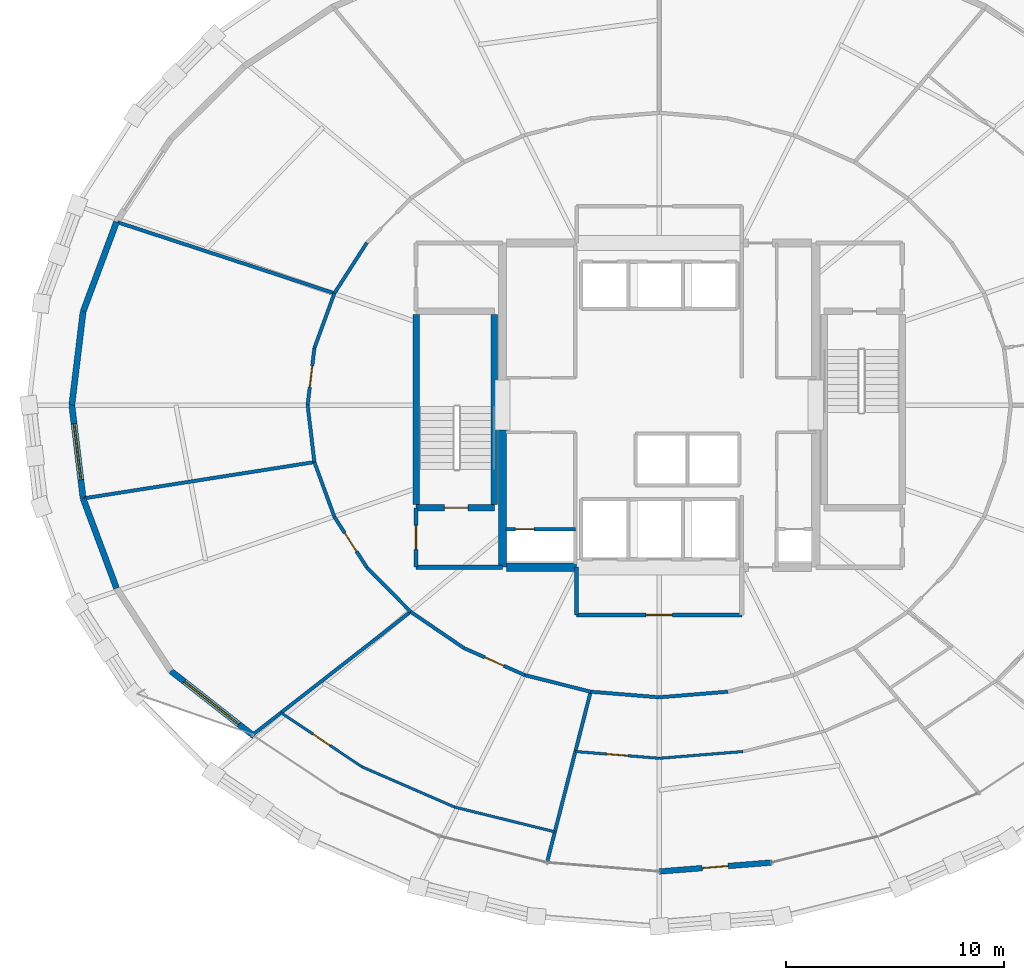
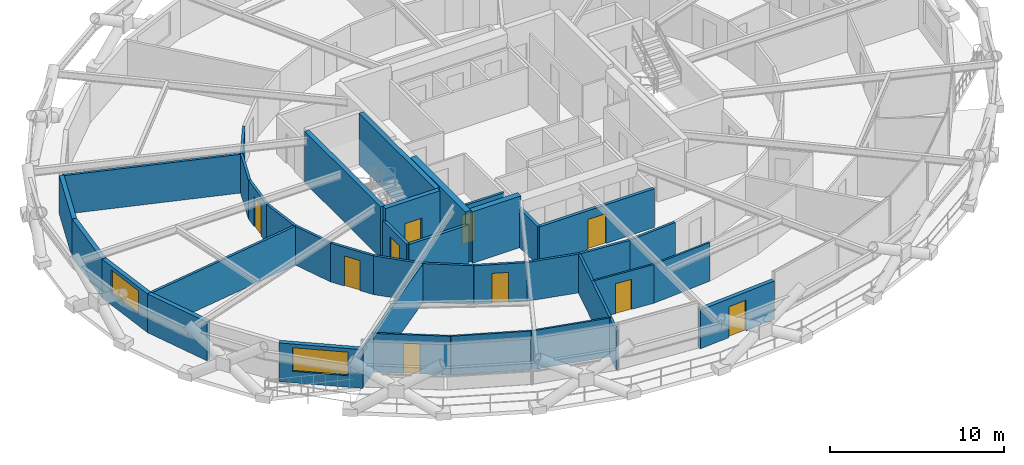
# One storey, part 15 of 21: 37 walls, 10 doors, 2 windows, 12 openings.
"""IFC4 building model written with IfcOpenShell, lengths in metres."""

from ifc_helpers import new_model, si_unit, direction, frame, frame_2d, origin, place, context, subcontext, project, spatial, rectangle, extrude, material, layer, layer_set, type_object, element, fill, save


model = new_model("IFC4")

# Units and contexts
model_context = context("Model", 3, precision=1e-05, world=origin(), true_north=direction((0.0, 1.0)))
body_context = subcontext(model_context, "Body", "Model", "MODEL_VIEW")
ifc_project = project(units=[si_unit("LENGTHUNIT", "METRE"), si_unit("AREAUNIT", "SQUARE_METRE"), si_unit("VOLUMEUNIT", "CUBIC_METRE"), si_unit("PLANEANGLEUNIT", "RADIAN"), si_unit("MASSUNIT", "GRAM", prefix="KILO")], contexts=[model_context])

# Site, building, storey
site_placement = place(None, origin())
site = spatial("IfcSite", under=ifc_project, at=site_placement, CompositionType="ELEMENT")
building_placement = place(site_placement, origin())
building = spatial("IfcBuilding", under=site, at=building_placement, Name="Veldorina Hangang Commons", CompositionType="ELEMENT")
storey_placement = place(building_placement, frame((0.0, 0.0, 73.60009765625)))
storey = spatial("IfcBuildingStorey", under=building, at=storey_placement, Name="L18", CompositionType="ELEMENT", Elevation=73.60009765625)

# Walls
ifc_material_1 = material(Name="Concrete C70/85", Category="concrete")
ifc_layer_1 = layer(ifc_material_1, 0.3798828125)
ifc_layer_set_1 = layer_set([ifc_layer_1], Name="Concrete C70/85")
wall_type_1 = type_object("IfcWallType", Name="CW-RC380-C70", PredefinedType="SHEAR", material=ifc_layer_set_1)
wall_1_placement = place(storey_placement, frame((24.800048828125, 16.550048828125, 0.0), z_axis=(0.0, 0.0, 1.0), x_axis=(0.0, 1.0, 0.0)))
element("IfcWall", 1, at=wall_1_placement, inside=storey, type_object=wall_type_1, Name="L18 W south core shear wall", PredefinedType="SHEAR", context=body_context, shape_type="SweptSolid", body=[
    extrude(rectangle(XDim=6.300048828125, YDim=0.3798828125, at=frame_2d((3.14990234375, 0.0))), origin(), (0.0, 0.0, 1.0), 3.599853515625),
])
wall_2_placement = place(storey_placement, frame((24.989990234375, 16.550048828125, 0.0), z_axis=(0.0, 0.0, 1.0), x_axis=(1.0, 0.0, 0.0)))
element("IfcWall", 2, at=wall_2_placement, inside=storey, type_object=wall_type_1, Name="L18 south-west core shear wall", PredefinedType="SHEAR", context=body_context, shape_type="SweptSolid", body=[
    extrude(rectangle(XDim=3.2099609375, YDim=0.3798828125, at=frame_2d((1.60498046875, 0.0))), origin(), (0.0, 0.0, 1.0), 3.599853515625),
])

# Wall, opening, door
ifc_material_2 = material(Name="Stone Roman Travertine", Category="masonry")
ifc_layer_2 = layer(ifc_material_2, 0.260009765625)
ifc_layer_set_2 = layer_set([ifc_layer_2], Name="Stone Roman Travertine")
wall_type_2 = type_object("IfcWallType", Name="EW-LOGGIA-260", PredefinedType="STANDARD", material=ifc_layer_set_2)
wall_3_placement = place(storey_placement, frame((32.0, 2.5576171875, 0.0), z_axis=(0.0, 0.0, 1.0), x_axis=(0.996828016054, 0.079585843023, 0.0)))
wall_3 = element("IfcWall", 3, at=wall_3_placement, inside=storey, type_object=wall_type_2, Name="L18 sky-garden loggia portal wall 24", PredefinedType="STANDARD", context=body_context, shape_type="SweptSolid", body=[
    extrude(rectangle(XDim=5.175048828125, YDim=0.260009765625, at=frame_2d((2.58740234375, 0.0))), origin(), (0.0, 0.0, 1.0), 2.7099609375),
])
opening_1_placement = place(wall_3_placement, frame((1.987548828125, 0.0, 0.0)))
opening_1 = element("IfcOpeningElement", 4, at=opening_1_placement, cuts=wall_3, Name="Opening BD-1200", PredefinedType="OPENING", context=body_context, shape_type="SweptSolid", body=[
    extrude(rectangle(XDim=1.199951171875, YDim=2.14990234375, at=frame_2d((0.60009765625, 1.074951171875))), frame((0.0, 0.14013671875, 0.0), z_axis=(0.0, -1.0, 0.0), x_axis=(1.0, 0.0, 0.0)), (0.0, 0.0, 1.0), 0.280029296875),
])
ifc_material_3 = material(Name="Glass Thermal Aluminium Frame", Category="aluminium")
door_type_1 = type_object("IfcDoorType", Name="DR-EXT-LOG1200", OperationType="SINGLE_SWING_LEFT", PredefinedType="DOOR", material=ifc_material_3)
door_1_placement = place(opening_1_placement, origin())
door_1 = element("IfcDoor", 5, at=door_1_placement, inside=storey, type_object=door_type_1, Name="L18 loggia glazed exterior door 24", OperationType="SINGLE_SWING_LEFT", OverallHeight=2.14990234375, OverallWidth=1.199951171875, PredefinedType="DOOR", context=body_context, shape_type="SweptSolid", body=[
    extrude(rectangle(XDim=1.199951171875, YDim=2.14990234375, at=frame_2d((0.60009765625, 1.074951171875))), frame((0.0, 0.02490234375, 0.0), z_axis=(0.0, -1.0, 0.0), x_axis=(1.0, 0.0, 0.0)), (0.0, 0.0, 1.0), 0.050048828125),
])
fill(opening_1, door_1)

# Walls
ifc_layer_3 = layer(ifc_material_2, 0.280029296875)
ifc_layer_set_3 = layer_set([ifc_layer_3], Name="Stone Roman Travertine")
wall_type_3 = type_object("IfcWallType", Name="EW-TRAV-280", PredefinedType="STANDARD", material=ifc_layer_set_3)
wall_4_placement = place(storey_placement, frame((7.052978515625, 32.419921875, 0.0), z_axis=(0.0, 0.0, 1.0), x_axis=(-0.348899033007, -0.937160319672, 0.0)))
element("IfcWall", 6, at=wall_4_placement, inside=storey, type_object=wall_type_3, Name="L18 travertine facade wall 14", PredefinedType="STANDARD", context=body_context, shape_type="SweptSolid", body=[
    extrude(rectangle(XDim=4.404296875, YDim=0.280029296875, at=frame_2d((2.2021484375, 0.0))), origin(), (0.0, 0.0, 1.0), 2.7099609375),
])
wall_5_placement = place(storey_placement, frame((5.516357421875, 28.29248046875, 0.0), z_axis=(0.0, 0.0, 1.0), x_axis=(-0.119989041881, -0.992775216164, 0.0)))
element("IfcWall", 7, at=wall_5_placement, inside=storey, type_object=wall_type_3, Name="L18 travertine facade wall 15", PredefinedType="STANDARD", context=body_context, shape_type="SweptSolid", body=[
    extrude(rectangle(XDim=4.32373046875, YDim=0.280029296875, at=frame_2d((2.161865234375, 0.0))), origin(), (0.0, 0.0, 1.0), 2.7099609375),
])

# Wall, opening, window
wall_6_placement = place(storey_placement, frame((4.99755859375, 24.0, 0.0), z_axis=(0.0, 0.0, 1.0), x_axis=(0.119989041881, -0.992775216164, 0.0)))
wall_6 = element("IfcWall", 8, at=wall_6_placement, inside=storey, type_object=wall_type_3, Name="L18 travertine facade wall 16", PredefinedType="STANDARD", context=body_context, shape_type="SweptSolid", body=[
    extrude(rectangle(XDim=4.32373046875, YDim=0.280029296875, at=frame_2d((2.161865234375, 0.0))), origin(), (0.0, 0.0, 1.0), 2.7099609375),
])
opening_2_placement = place(wall_6_placement, frame((0.86181640625, 0.0, 0.800048828125)))
opening_2 = element("IfcOpeningElement", 9, at=opening_2_placement, cuts=wall_6, Name="Opening W-02", PredefinedType="OPENING", context=body_context, shape_type="SweptSolid", body=[
    extrude(rectangle(XDim=2.60009765625, YDim=1.64990234375, at=frame_2d((1.300048828125, 0.824951171875))), frame((0.0, 0.14990234375, 0.0), z_axis=(0.0, -1.0, 0.0), x_axis=(1.0, 0.0, 0.0)), (0.0, 0.0, 1.0), 0.300048828125),
])
ifc_material_4 = material(Name="Glass Low-E Triple IGU", Category="glass")
window_type_1 = type_object("IfcWindowType", Name="WIN-TWR-2600", PartitioningType="SINGLE_PANEL", PredefinedType="WINDOW", material=ifc_material_4)
window_1_placement = place(opening_2_placement, origin())
window_1 = element("IfcWindow", 10, at=window_1_placement, inside=storey, type_object=window_type_1, Name="L18 facade window 16", OverallHeight=1.64990234375, OverallWidth=2.60009765625, PartitioningType="SINGLE_PANEL", PredefinedType="WINDOW", context=body_context, shape_type="SweptSolid", body=[
    extrude(rectangle(XDim=2.60009765625, YDim=1.64990234375, at=frame_2d((1.300048828125, 0.824951171875))), frame((0.0, 0.030029296875, 0.0), z_axis=(0.0, -1.0, 0.0), x_axis=(1.0, 0.0, 0.0)), (0.0, 0.0, 1.0), 0.06005859375),
])
fill(opening_2, window_1)

# Wall
wall_7_placement = place(storey_placement, frame((5.516357421875, 19.70751953125, 0.0), z_axis=(0.0, 0.0, 1.0), x_axis=(0.348899033007, -0.937160319672, 0.0)))
element("IfcWall", 11, at=wall_7_placement, inside=storey, type_object=wall_type_3, Name="L18 travertine facade wall 17", PredefinedType="STANDARD", context=body_context, shape_type="SweptSolid", body=[
    extrude(rectangle(XDim=4.404296875, YDim=0.280029296875, at=frame_2d((2.2021484375, 0.0))), origin(), (0.0, 0.0, 1.0), 2.7099609375),
])

# Wall, opening, window
wall_8_placement = place(storey_placement, frame((9.54833984375, 11.776123046875, 0.0), z_axis=(0.0, 0.0, 1.0), x_axis=(0.787476373369, -0.616344839668, 0.0)))
wall_8 = element("IfcWall", 12, at=wall_8_placement, inside=storey, type_object=wall_type_3, Name="L18 travertine facade wall 19", PredefinedType="STANDARD", context=body_context, shape_type="SweptSolid", body=[
    extrude(rectangle(XDim=4.859130859375, YDim=0.280029296875, at=frame_2d((2.4296875, 0.0))), origin(), (0.0, 0.0, 1.0), 2.7099609375),
])
opening_3_placement = place(wall_8_placement, frame((0.78369140625, 0.0, 0.800048828125)))
opening_3 = element("IfcOpeningElement", 13, at=opening_3_placement, cuts=wall_8, Name="Opening W-01", PredefinedType="OPENING", context=body_context, shape_type="SweptSolid", body=[
    extrude(rectangle(XDim=3.199951171875, YDim=1.64990234375, at=frame_2d((1.60009765625, 0.824951171875))), frame((0.0, 0.14990234375, 0.0), z_axis=(0.0, -1.0, 0.0), x_axis=(1.0, 0.0, 0.0)), (0.0, 0.0, 1.0), 0.300048828125),
])
window_type_2 = type_object("IfcWindowType", Name="WIN-TWR-3200", PartitioningType="SINGLE_PANEL", PredefinedType="WINDOW", material=ifc_material_4)
window_2_placement = place(opening_3_placement, origin())
window_2 = element("IfcWindow", 14, at=window_2_placement, inside=storey, type_object=window_type_2, Name="L18 facade window 19", OverallHeight=1.64990234375, OverallWidth=3.199951171875, PartitioningType="SINGLE_PANEL", PredefinedType="WINDOW", context=body_context, shape_type="SweptSolid", body=[
    extrude(rectangle(XDim=3.199951171875, YDim=1.64990234375, at=frame_2d((1.60009765625, 0.824951171875))), frame((0.0, 0.030029296875, 0.0), z_axis=(0.0, -1.0, 0.0), x_axis=(1.0, 0.0, 0.0)), (0.0, 0.0, 1.0), 0.06005859375),
])
fill(opening_3, window_2)

# Walls
ifc_material_5 = material(Name="Concrete C50/60", Category="concrete")
ifc_layer_4 = layer(ifc_material_5, 0.300048828125)
ifc_layer_set_4 = layer_set([ifc_layer_4], Name="Concrete C50/60")
wall_type_4 = type_object("IfcWallType", Name="SW-STAIR-300", PredefinedType="SHEAR", material=ifc_layer_set_4)
for number, where, z_axis, x_axis, name in (
    (15, (20.820068359375, 19.429931640625, 0.0), (0.0, 0.0, 1.0), (0.0, 1.0, 0.0), "L18 ST1 outer stair shear wall"),
    (16, (24.419921875, 19.429931640625, 0.0), (0.0, 0.0, 1.0), (0.0, 1.0, 0.0), "L18 ST1 inner stair shear wall"),
):
    element("IfcWall", number, at=place(storey_placement, frame(where, z_axis=z_axis, x_axis=x_axis)), inside=storey, type_object=wall_type_4, Name=name, PredefinedType="SHEAR", context=body_context, shape_type="SweptSolid", body=[
        extrude(rectangle(XDim=8.739990234375, YDim=0.300048828125, at=frame_2d((4.3701171875, 0.0))), origin(), (0.0, 0.0, 1.0), 3.599853515625),
    ])

# Wall, opening, door
wall_9_placement = place(storey_placement, frame((20.820068359375, 19.280029296875, 0.0), z_axis=(0.0, 0.0, 1.0), x_axis=(1.0, 0.0, 0.0)))
wall_9 = element("IfcWall", 17, at=wall_9_placement, inside=storey, type_object=wall_type_4, Name="L18 ST1 south stair shear wall", PredefinedType="SHEAR", context=body_context, shape_type="SweptSolid", body=[
    extrude(rectangle(XDim=3.599853515625, YDim=0.300048828125, at=frame_2d((1.7998046875, 0.0))), origin(), (0.0, 0.0, 1.0), 3.599853515625),
])
opening_4_placement = place(wall_9_placement, frame((1.300048828125, 0.0, 0.0)))
opening_4 = element("IfcOpeningElement", 18, at=opening_4_placement, cuts=wall_9, Name="Opening D-08", PredefinedType="OPENING", context=body_context, shape_type="SweptSolid", body=[
    extrude(rectangle(XDim=1.10009765625, YDim=2.10009765625, at=frame_2d((0.550048828125, 1.050048828125))), frame((0.0, 0.16015625, 0.0), z_axis=(0.0, -1.0, 0.0), x_axis=(1.0, 0.0, 0.0)), (0.0, 0.0, 1.0), 0.320068359375),
])
ifc_material_6 = material(Name="Steel Fire-Rated Smoke Seal", Category="steel")
door_type_2 = type_object("IfcDoorType", Name="DR-FIRE-1100", OperationType="SINGLE_SWING_RIGHT", PredefinedType="DOOR", material=ifc_material_6)
door_2_placement = place(opening_4_placement, origin())
door_2 = element("IfcDoor", 19, at=door_2_placement, inside=storey, type_object=door_type_2, Name="L18 Special Escape Stair ST-1 door", OperationType="SINGLE_SWING_LEFT", OverallHeight=2.10009765625, OverallWidth=1.10009765625, PredefinedType="DOOR", context=body_context, shape_type="SweptSolid", body=[
    extrude(rectangle(XDim=1.10009765625, YDim=2.10009765625, at=frame_2d((0.550048828125, 1.050048828125))), frame((0.0, 0.02490234375, 0.0), z_axis=(0.0, -1.0, 0.0), x_axis=(1.0, 0.0, 0.0)), (0.0, 0.0, 1.0), 0.050048828125),
])
fill(opening_4, door_2)

ifc_material_7 = material(Name="Gypsum Fire-Rated Twin Stud Wall", Category="gypsum")
ifc_layer_5 = layer(ifc_material_7, 0.159912109375)
ifc_layer_set_5 = layer_set([ifc_layer_5], Name="Gypsum Fire-Rated Twin Stud Wall")
wall_type_5 = type_object("IfcWallType", Name="WL-FIRE-160", PredefinedType="SOLIDWALL", material=ifc_layer_set_5)
wall_10_placement = place(storey_placement, frame((24.949951171875, 18.300048828125, 0.0), z_axis=(0.0, 0.0, 1.0), x_axis=(1.0, 0.0, 0.0)))
wall_10 = element("IfcWall", 20, at=wall_10_placement, inside=storey, type_object=wall_type_5, Name="L18 Electrical riser wall 035", PredefinedType="SOLIDWALL", context=body_context, shape_type="SweptSolid", body=[
    extrude(rectangle(XDim=3.199951171875, YDim=0.159912109375, at=frame_2d((1.60009765625, 0.0))), origin(), (0.0, 0.0, 1.0), 2.7099609375),
])
opening_5_placement = place(wall_10_placement, frame((0.43994140625, 0.0, 0.0)))
opening_5 = element("IfcOpeningElement", 21, at=opening_5_placement, cuts=wall_10, Name="Opening D-12", PredefinedType="OPENING", context=body_context, shape_type="SweptSolid", body=[
    extrude(rectangle(XDim=0.860107421875, YDim=2.050048828125, at=frame_2d((0.43017578125, 1.02490234375))), frame((0.0, 0.08984375, 0.0), z_axis=(0.0, -1.0, 0.0), x_axis=(1.0, 0.0, 0.0)), (0.0, 0.0, 1.0), 0.179931640625),
])
ifc_material_8 = material(Name="Steel Insulated Riser Access", Category="steel")
door_type_3 = type_object("IfcDoorType", Name="DR-TRAP-860", OperationType="SINGLE_SWING_LEFT", PredefinedType="TRAPDOOR", material=ifc_material_8)
door_3_placement = place(opening_5_placement, origin())
door_3 = element("IfcDoor", 22, at=door_3_placement, inside=storey, type_object=door_type_3, Name="L18 Electrical riser access door 013", OperationType="SINGLE_SWING_LEFT", OverallHeight=2.050048828125, OverallWidth=0.860107421875, PredefinedType="TRAPDOOR", context=body_context, shape_type="SweptSolid", body=[
    extrude(rectangle(XDim=0.860107421875, YDim=2.050048828125, at=frame_2d((0.43017578125, 1.02490234375))), frame((0.0, 0.02490234375, 0.0), z_axis=(0.0, -1.0, 0.0), x_axis=(1.0, 0.0, 0.0)), (0.0, 0.0, 1.0), 0.050048828125),
])
fill(opening_5, door_3)

# Walls
wall_11_placement = place(storey_placement, frame((18.561767578125, 31.46337890625, 0.0), z_axis=(0.0, 0.0, 1.0), x_axis=(-0.540891657444, -0.841092274907, 0.0)))
element("IfcWall", 23, at=wall_11_placement, inside=storey, type_object=wall_type_5, Name="L18 Corridor outer wall 13 058", PredefinedType="SOLIDWALL", context=body_context, shape_type="SweptSolid", body=[
    extrude(rectangle(XDim=2.760986328125, YDim=0.159912109375, at=frame_2d((1.38037109375, 0.0))), origin(), (0.0, 0.0, 1.0), 2.7099609375),
])
wall_12_placement = place(storey_placement, frame((17.068359375, 29.14111328125, 0.0), z_axis=(0.0, 0.0, 1.0), x_axis=(-0.342882618672, -0.939378257047, 0.0)))
element("IfcWall", 24, at=wall_12_placement, inside=storey, type_object=wall_type_5, Name="L18 Corridor outer wall 14 059", PredefinedType="SOLIDWALL", context=body_context, shape_type="SweptSolid", body=[
    extrude(rectangle(XDim=2.682861328125, YDim=0.159912109375, at=frame_2d((1.34130859375, 0.0))), origin(), (0.0, 0.0, 1.0), 2.7099609375),
])

# Wall, opening, door
wall_13_placement = place(storey_placement, frame((16.1484375, 26.620849609375, 0.0), z_axis=(0.0, 0.0, 1.0), x_axis=(-0.117667763342, -0.993053018459, 0.0)))
wall_13 = element("IfcWall", 25, at=wall_13_placement, inside=storey, type_object=wall_type_5, Name="L18 Corridor outer wall 15 060", PredefinedType="SOLIDWALL", context=body_context, shape_type="SweptSolid", body=[
    extrude(rectangle(XDim=2.63916015625, YDim=0.159912109375, at=frame_2d((1.319580078125, 0.0))), origin(), (0.0, 0.0, 1.0), 2.7099609375),
])
opening_6_placement = place(wall_13_placement, frame((0.819580078125, 0.0, 0.0)))
opening_6 = element("IfcOpeningElement", 26, at=opening_6_placement, cuts=wall_13, Name="Opening D-05", PredefinedType="OPENING", context=body_context, shape_type="SweptSolid", body=[
    extrude(rectangle(XDim=1.0, YDim=2.10009765625, at=frame_2d((0.5, 1.050048828125))), frame((0.0, 0.08984375, 0.0), z_axis=(0.0, -1.0, 0.0), x_axis=(1.0, 0.0, 0.0)), (0.0, 0.0, 1.0), 0.179931640625),
])
ifc_material_9 = material(Name="Timber Solid Core Acoustic", Category="wood")
door_type_4 = type_object("IfcDoorType", Name="DR-INT-1000", OperationType="SINGLE_SWING_RIGHT", PredefinedType="DOOR", material=ifc_material_9)
door_4_placement = place(opening_6_placement, origin())
door_4 = element("IfcDoor", 27, at=door_4_placement, inside=storey, type_object=door_type_4, Name="L18 Seminar Focus Room 7 door 036", OperationType="SINGLE_SWING_RIGHT", OverallHeight=2.10009765625, OverallWidth=1.0, PredefinedType="DOOR", context=body_context, shape_type="SweptSolid", body=[
    extrude(rectangle(XDim=1.0, YDim=2.10009765625, at=frame_2d((0.5, 1.050048828125))), frame((0.0, 0.02490234375, 0.0), z_axis=(0.0, -1.0, 0.0), x_axis=(1.0, 0.0, 0.0)), (0.0, 0.0, 1.0), 0.050048828125),
])
fill(opening_6, door_4)

# Walls
wall_14_placement = place(storey_placement, frame((15.837890625, 24.0, 0.0), z_axis=(0.0, 0.0, 1.0), x_axis=(0.117667763342, -0.993053018459, 0.0)))
element("IfcWall", 28, at=wall_14_placement, inside=storey, type_object=wall_type_5, Name="L18 Corridor outer wall 16 061", PredefinedType="SOLIDWALL", context=body_context, shape_type="SweptSolid", body=[
    extrude(rectangle(XDim=2.63916015625, YDim=0.159912109375, at=frame_2d((1.319580078125, 0.0))), origin(), (0.0, 0.0, 1.0), 2.7099609375),
])
wall_15_placement = place(storey_placement, frame((16.1484375, 21.379150390625, 0.0), z_axis=(0.0, 0.0, 1.0), x_axis=(0.342882618672, -0.939378257047, 0.0)))
element("IfcWall", 29, at=wall_15_placement, inside=storey, type_object=wall_type_5, Name="L18 Corridor outer wall 17 062", PredefinedType="SOLIDWALL", context=body_context, shape_type="SweptSolid", body=[
    extrude(rectangle(XDim=2.682861328125, YDim=0.159912109375, at=frame_2d((1.34130859375, 0.0))), origin(), (0.0, 0.0, 1.0), 2.7099609375),
])

# Wall, opening, door
wall_16_placement = place(storey_placement, frame((17.068359375, 18.85888671875, 0.0), z_axis=(0.0, 0.0, 1.0), x_axis=(0.540891657444, -0.841092274907, 0.0)))
wall_16 = element("IfcWall", 30, at=wall_16_placement, inside=storey, type_object=wall_type_5, Name="L18 Corridor outer wall 18 063", PredefinedType="SOLIDWALL", context=body_context, shape_type="SweptSolid", body=[
    extrude(rectangle(XDim=2.760986328125, YDim=0.159912109375, at=frame_2d((1.38037109375, 0.0))), origin(), (0.0, 0.0, 1.0), 2.7099609375),
])
opening_7_placement = place(wall_16_placement, frame((0.880615234375, 0.0, 0.0)))
opening_7 = element("IfcOpeningElement", 31, at=opening_7_placement, cuts=wall_16, Name="Opening D-05", PredefinedType="OPENING", context=body_context, shape_type="SweptSolid", body=[
    extrude(rectangle(XDim=1.0, YDim=2.10009765625, at=frame_2d((0.5, 1.050048828125))), frame((0.0, 0.08984375, 0.0), z_axis=(0.0, -1.0, 0.0), x_axis=(1.0, 0.0, 0.0)), (0.0, 0.0, 1.0), 0.179931640625),
])
door_5_placement = place(opening_7_placement, origin())
door_5 = element("IfcDoor", 32, at=door_5_placement, inside=storey, type_object=door_type_4, Name="L18 Seminar Focus Room 8 door 037", OperationType="SINGLE_SWING_LEFT", OverallHeight=2.10009765625, OverallWidth=1.0, PredefinedType="DOOR", context=body_context, shape_type="SweptSolid", body=[
    extrude(rectangle(XDim=1.0, YDim=2.10009765625, at=frame_2d((0.5, 1.050048828125))), frame((0.0, 0.02490234375, 0.0), z_axis=(0.0, -1.0, 0.0), x_axis=(1.0, 0.0, 0.0)), (0.0, 0.0, 1.0), 0.050048828125),
])
fill(opening_7, door_5)

# Walls
wall_17_placement = place(storey_placement, frame((18.561767578125, 16.53662109375, 0.0), z_axis=(0.0, 0.0, 1.0), x_axis=(0.702569520063, -0.711615113301, 0.0)))
element("IfcWall", 33, at=wall_17_placement, inside=storey, type_object=wall_type_5, Name="L18 Corridor outer wall 19 064", PredefinedType="SOLIDWALL", context=body_context, shape_type="SweptSolid", body=[
    extrude(rectangle(XDim=2.86083984375, YDim=0.159912109375, at=frame_2d((1.430419921875, 0.0))), origin(), (0.0, 0.0, 1.0), 2.7099609375),
])
wall_18_placement = place(storey_placement, frame((20.57177734375, 14.500732421875, 0.0), z_axis=(0.0, 0.0, 1.0), x_axis=(0.826112340767, -0.563505457323, 0.0)))
element("IfcWall", 34, at=wall_18_placement, inside=storey, type_object=wall_type_5, Name="L18 Corridor outer wall 20 065", PredefinedType="SOLIDWALL", context=body_context, shape_type="SweptSolid", body=[
    extrude(rectangle(XDim=2.96484375, YDim=0.159912109375, at=frame_2d((1.482421875, 0.0))), origin(), (0.0, 0.0, 1.0), 2.7099609375),
])

# Wall, opening, door
wall_19_placement = place(storey_placement, frame((23.02099609375, 12.830078125, 0.0), z_axis=(0.0, 0.0, 1.0), x_axis=(0.913860932409, -0.406027334321, 0.0)))
wall_19 = element("IfcWall", 35, at=wall_19_placement, inside=storey, type_object=wall_type_5, Name="L18 Corridor outer wall 21 066", PredefinedType="SOLIDWALL", context=body_context, shape_type="SweptSolid", body=[
    extrude(rectangle(XDim=3.0576171875, YDim=0.159912109375, at=frame_2d((1.52880859375, 0.0))), origin(), (0.0, 0.0, 1.0), 2.7099609375),
])
opening_8_placement = place(wall_19_placement, frame((1.0537109375, 0.0, 0.0)))
opening_8 = element("IfcOpeningElement", 36, at=opening_8_placement, cuts=wall_19, Name="Opening D-02", PredefinedType="OPENING", context=body_context, shape_type="SweptSolid", body=[
    extrude(rectangle(XDim=0.949951171875, YDim=2.10009765625, at=frame_2d((0.47509765625, 1.050048828125))), frame((0.0, 0.08984375, 0.0), z_axis=(0.0, -1.0, 0.0), x_axis=(1.0, 0.0, 0.0)), (0.0, 0.0, 1.0), 0.179931640625),
])
door_type_5 = type_object("IfcDoorType", Name="DR-INT-950", OperationType="SINGLE_SWING_LEFT", PredefinedType="DOOR", material=ifc_material_9)
door_6_placement = place(opening_8_placement, origin())
door_6 = element("IfcDoor", 37, at=door_6_placement, inside=storey, type_object=door_type_5, Name="L18 Linen drying store door 038", OperationType="SINGLE_SWING_RIGHT", OverallHeight=2.10009765625, OverallWidth=0.949951171875, PredefinedType="DOOR", context=body_context, shape_type="SweptSolid", body=[
    extrude(rectangle(XDim=0.949951171875, YDim=2.10009765625, at=frame_2d((0.47509765625, 1.050048828125))), frame((0.0, 0.02490234375, 0.0), z_axis=(0.0, -1.0, 0.0), x_axis=(1.0, 0.0, 0.0)), (0.0, 0.0, 1.0), 0.050048828125),
])
fill(opening_8, door_6)

# Walls
wall_20_placement = place(storey_placement, frame((25.815185546875, 11.588623046875, 0.0), z_axis=(0.0, 0.0, 1.0), x_axis=(0.969653665365, -0.244482656326, 0.0)))
element("IfcWall", 38, at=wall_20_placement, inside=storey, type_object=wall_type_5, Name="L18 Corridor outer wall 22 067", PredefinedType="SOLIDWALL", context=body_context, shape_type="SweptSolid", body=[
    extrude(rectangle(XDim=3.126708984375, YDim=0.159912109375, at=frame_2d((1.5634765625, 0.0))), origin(), (0.0, 0.0, 1.0), 2.7099609375),
])
for number, where, z_axis, x_axis, name in (
    (39, (28.846923828125, 10.82421875, 0.0), (0.0, 0.0, 1.0), (0.996661331307, -0.081646743207, 0.0), "L18 Corridor outer wall 23 068"),
    (40, (32.0, 10.56591796875, 0.0), (0.0, 0.0, 1.0), (0.996661331307, 0.081646743207, 0.0), "L18 Corridor outer wall 24 069"),
):
    element("IfcWall", number, at=place(storey_placement, frame(where, z_axis=z_axis, x_axis=x_axis)), inside=storey, type_object=wall_type_5, Name=name, PredefinedType="SOLIDWALL", context=body_context, shape_type="SweptSolid", body=[
        extrude(rectangle(XDim=3.16357421875, YDim=0.159912109375, at=frame_2d((1.581787109375, 0.0))), origin(), (0.0, 0.0, 1.0), 2.7099609375),
    ])
wall_21_placement = place(storey_placement, frame((28.846923828125, 10.82421875, 0.0), z_axis=(0.0, 0.0, 1.0), x_axis=(-0.247395351074, -0.968914619699, 0.0)))
element("IfcWall", 41, at=wall_21_placement, inside=storey, type_object=wall_type_5, Name="L18 Unit party wall 23 077", PredefinedType="SOLIDWALL", context=body_context, shape_type="SweptSolid", body=[
    extrude(rectangle(XDim=8.056640625, YDim=0.159912109375, at=frame_2d((4.0283203125, 0.0))), origin(), (0.0, 0.0, 1.0), 2.7099609375),
])
wall_22_placement = place(storey_placement, frame((17.068359375, 29.14111328125, 0.0), z_axis=(0.0, 0.0, 1.0), x_axis=(-0.950368850296, 0.31112545442, 0.0)))
element("IfcWall", 42, at=wall_22_placement, inside=storey, type_object=wall_type_5, Name="L18 Unit party wall 14 105", PredefinedType="SOLIDWALL", context=body_context, shape_type="SweptSolid", body=[
    extrude(rectangle(XDim=10.48828125, YDim=0.159912109375, at=frame_2d((5.244140625, 0.0))), origin(), (0.0, 0.0, 1.0), 2.7099609375),
])
wall_23_placement = place(storey_placement, frame((16.1484375, 21.379150390625, 0.0), z_axis=(0.0, 0.0, 1.0), x_axis=(-0.987864939739, -0.155315359302, 0.0)))
element("IfcWall", 43, at=wall_23_placement, inside=storey, type_object=wall_type_5, Name="L18 Unit party wall 17 106", PredefinedType="SOLIDWALL", context=body_context, shape_type="SweptSolid", body=[
    extrude(rectangle(XDim=10.71240234375, YDim=0.159912109375, at=frame_2d((5.356201171875, 0.0))), origin(), (0.0, 0.0, 1.0), 2.7099609375),
])
wall_24_placement = place(storey_placement, frame((20.57177734375, 14.500732421875, 0.0), z_axis=(0.0, 0.0, 1.0), x_axis=(-0.788888678139, -0.614536128722, 0.0)))
element("IfcWall", 44, at=wall_24_placement, inside=storey, type_object=wall_type_5, Name="L18 Unit party wall 20 107", PredefinedType="SOLIDWALL", context=body_context, shape_type="SweptSolid", body=[
    extrude(rectangle(XDim=9.164794921875, YDim=0.159912109375, at=frame_2d((4.58251953125, 0.0))), origin(), (0.0, 0.0, 1.0), 2.7099609375),
])

# Wall, opening, door
ifc_material_10 = material(Name="Concrete Blockwork Fire Wall C30/37", Category="masonry")
ifc_layer_6 = layer(ifc_material_10, 0.199951171875)
ifc_layer_set_6 = layer_set([ifc_layer_6], Name="Concrete Blockwork Fire Wall C30/37")
wall_type_6 = type_object("IfcWallType", Name="WL-FIRE-200", PredefinedType="SOLIDWALL", material=ifc_layer_set_6)
wall_25_placement = place(storey_placement, frame((20.820068359375, 16.550048828125, 0.0), z_axis=(0.0, 0.0, 1.0), x_axis=(0.0, 1.0, 0.0)))
wall_25 = element("IfcWall", 45, at=wall_25_placement, inside=storey, type_object=wall_type_6, Name="L18 West vestibule outer wall 001", PredefinedType="SOLIDWALL", context=body_context, shape_type="SweptSolid", body=[
    extrude(rectangle(XDim=2.72998046875, YDim=0.199951171875, at=frame_2d((1.364990234375, 0.0))), origin(), (0.0, 0.0, 1.0), 2.7099609375),
])
opening_9_placement = place(wall_25_placement, frame((0.81494140625, 0.0, 0.0)))
opening_9 = element("IfcOpeningElement", 46, at=opening_9_placement, cuts=wall_25, Name="Opening D-08", PredefinedType="OPENING", context=body_context, shape_type="SweptSolid", body=[
    extrude(rectangle(XDim=1.10009765625, YDim=2.10009765625, at=frame_2d((0.550048828125, 1.050048828125))), frame((0.0, 0.10986328125, 0.0), z_axis=(0.0, -1.0, 0.0), x_axis=(1.0, 0.0, 0.0)), (0.0, 0.0, 1.0), 0.219970703125),
])
door_7_placement = place(opening_9_placement, origin())
door_7 = element("IfcDoor", 47, at=door_7_placement, inside=storey, type_object=door_type_2, Name="L18 West vestibule west door 001", OperationType="SINGLE_SWING_LEFT", OverallHeight=2.10009765625, OverallWidth=1.10009765625, PredefinedType="DOOR", context=body_context, shape_type="SweptSolid", body=[
    extrude(rectangle(XDim=1.10009765625, YDim=2.10009765625, at=frame_2d((0.550048828125, 1.050048828125))), frame((0.0, 0.02490234375, 0.0), z_axis=(0.0, -1.0, 0.0), x_axis=(1.0, 0.0, 0.0)), (0.0, 0.0, 1.0), 0.050048828125),
])
fill(opening_9, door_7)

# Walls
wall_26_placement = place(storey_placement, frame((20.820068359375, 16.550048828125, 0.0), z_axis=(0.0, 0.0, 1.0), x_axis=(1.0, 0.0, 0.0)))
element("IfcWall", 48, at=wall_26_placement, inside=storey, type_object=wall_type_6, Name="L18 West vestibule south wall 002", PredefinedType="SOLIDWALL", context=body_context, shape_type="SweptSolid", body=[
    extrude(rectangle(XDim=3.97998046875, YDim=0.199951171875, at=frame_2d((1.989990234375, 0.0))), origin(), (0.0, 0.0, 1.0), 2.7099609375),
])
wall_27_placement = place(storey_placement, frame((28.199951171875, 14.35009765625, 0.0), z_axis=(0.0, 0.0, 1.0), x_axis=(0.0, 1.0, 0.0)))
element("IfcWall", 49, at=wall_27_placement, inside=storey, type_object=wall_type_6, Name="L18 FF lobby west wall 012", PredefinedType="SOLIDWALL", context=body_context, shape_type="SweptSolid", body=[
    extrude(rectangle(XDim=2.199951171875, YDim=0.199951171875, at=frame_2d((1.10009765625, 0.0))), origin(), (0.0, 0.0, 1.0), 2.7099609375),
])

# Wall, opening, door
wall_28_placement = place(storey_placement, frame((28.199951171875, 14.35009765625, 0.0), z_axis=(0.0, 0.0, 1.0), x_axis=(1.0, 0.0, 0.0)))
wall_28 = element("IfcWall", 50, at=wall_28_placement, inside=storey, type_object=wall_type_6, Name="L18 FF lobby south wall 014", PredefinedType="SOLIDWALL", context=body_context, shape_type="SweptSolid", body=[
    extrude(rectangle(XDim=7.60009765625, YDim=0.199951171875, at=frame_2d((3.800048828125, 0.0))), origin(), (0.0, 0.0, 1.0), 2.7099609375),
])
opening_10_placement = place(wall_28_placement, frame((3.199951171875, 0.0, 0.0)))
opening_10 = element("IfcOpeningElement", 51, at=opening_10_placement, cuts=wall_28, Name="Opening D-09", PredefinedType="OPENING", context=body_context, shape_type="SweptSolid", body=[
    extrude(rectangle(XDim=1.199951171875, YDim=2.10009765625, at=frame_2d((0.60009765625, 1.050048828125))), frame((0.0, 0.10986328125, 0.0), z_axis=(0.0, -1.0, 0.0), x_axis=(1.0, 0.0, 0.0)), (0.0, 0.0, 1.0), 0.219970703125),
])
ifc_material_11 = material(Name="Steel Fire-Rated Corridor Door", Category="steel")
door_type_6 = type_object("IfcDoorType", Name="DR-FIRE-1200", OperationType="SINGLE_SWING_LEFT", PredefinedType="DOOR", material=ifc_material_11)
door_8_placement = place(opening_10_placement, origin())
door_8 = element("IfcDoor", 52, at=door_8_placement, inside=storey, type_object=door_type_6, Name="L18 FF lobby south corridor door 005", OperationType="SINGLE_SWING_LEFT", OverallHeight=2.10009765625, OverallWidth=1.199951171875, PredefinedType="DOOR", context=body_context, shape_type="SweptSolid", body=[
    extrude(rectangle(XDim=1.199951171875, YDim=2.10009765625, at=frame_2d((0.60009765625, 1.050048828125))), frame((0.0, 0.02490234375, 0.0), z_axis=(0.0, -1.0, 0.0), x_axis=(1.0, 0.0, 0.0)), (0.0, 0.0, 1.0), 0.050048828125),
])
fill(opening_10, door_8)

ifc_material_12 = material(Name="Gypsum Acoustic Stud Partition", Category="gypsum")
ifc_layer_7 = layer(ifc_material_12, 0.1201171875)
ifc_layer_set_7 = layer_set([ifc_layer_7], Name="Gypsum Acoustic Stud Partition")
wall_type_7 = type_object("IfcWallType", Name="WL-PART-120", PredefinedType="PARTITIONING", material=ifc_layer_set_7)
wall_29_placement = place(storey_placement, frame((28.14501953125, 8.074951171875, 0.0), z_axis=(0.0, 0.0, 1.0), x_axis=(0.996745655766, -0.080610779127, 0.0)))
wall_29 = element("IfcWall", 53, at=wall_29_placement, inside=storey, type_object=wall_type_7, Name="L18 Lounge alcove split 0 078", PredefinedType="PARTITIONING", context=body_context, shape_type="SweptSolid", body=[
    extrude(rectangle(XDim=3.86767578125, YDim=0.1201171875, at=frame_2d((1.933837890625, 0.0))), origin(), (0.0, 0.0, 1.0), 2.7099609375),
])
opening_11_placement = place(wall_29_placement, frame((1.433837890625, 0.0, 0.0)))
opening_11 = element("IfcOpeningElement", 54, at=opening_11_placement, cuts=wall_29, Name="Opening D-05", PredefinedType="OPENING", context=body_context, shape_type="SweptSolid", body=[
    extrude(rectangle(XDim=1.0, YDim=2.10009765625, at=frame_2d((0.5, 1.050048828125))), frame((0.0, 0.070068359375, 0.0), z_axis=(0.0, -1.0, 0.0), x_axis=(1.0, 0.0, 0.0)), (0.0, 0.0, 1.0), 0.14013671875),
])
door_9_placement = place(opening_11_placement, origin())
door_9 = element("IfcDoor", 55, at=door_9_placement, inside=storey, type_object=door_type_4, Name="L18 Commons lounge door 020", OperationType="SINGLE_SWING_RIGHT", OverallHeight=2.10009765625, OverallWidth=1.0, PredefinedType="DOOR", context=body_context, shape_type="SweptSolid", body=[
    extrude(rectangle(XDim=1.0, YDim=2.10009765625, at=frame_2d((0.5, 1.050048828125))), frame((0.0, 0.02490234375, 0.0), z_axis=(0.0, -1.0, 0.0), x_axis=(1.0, 0.0, 0.0)), (0.0, 0.0, 1.0), 0.050048828125),
])
fill(opening_11, door_9)

# Wall
wall_30_placement = place(storey_placement, frame((32.0, 7.76318359375, 0.0), z_axis=(0.0, 0.0, 1.0), x_axis=(0.996745655766, 0.080610779127, 0.0)))
element("IfcWall", 56, at=wall_30_placement, inside=storey, type_object=wall_type_7, Name="L18 Lounge alcove split 1 079", PredefinedType="PARTITIONING", context=body_context, shape_type="SweptSolid", body=[
    extrude(rectangle(XDim=3.86767578125, YDim=0.1201171875, at=frame_2d((1.933837890625, 0.0))), origin(), (0.0, 0.0, 1.0), 2.7099609375),
])

# Wall, opening, door
wall_31_placement = place(storey_placement, frame((14.61083984375, 9.857177734375, 0.0), z_axis=(0.0, 0.0, 1.0), x_axis=(0.831748375698, -0.555152807364, 0.0)))
wall_31 = element("IfcWall", 57, at=wall_31_placement, inside=storey, type_object=wall_type_7, Name="L18 Laundry split 0 108", PredefinedType="PARTITIONING", context=body_context, shape_type="SweptSolid", body=[
    extrude(rectangle(XDim=4.48046875, YDim=0.1201171875, at=frame_2d((2.240234375, 0.0))), origin(), (0.0, 0.0, 1.0), 2.7099609375),
])
opening_12_placement = place(wall_31_placement, frame((1.76513671875, 0.0, 0.0)))
opening_12 = element("IfcOpeningElement", 58, at=opening_12_placement, cuts=wall_31, Name="Opening D-02", PredefinedType="OPENING", context=body_context, shape_type="SweptSolid", body=[
    extrude(rectangle(XDim=0.949951171875, YDim=2.10009765625, at=frame_2d((0.47509765625, 1.050048828125))), frame((0.0, 0.070068359375, 0.0), z_axis=(0.0, -1.0, 0.0), x_axis=(1.0, 0.0, 0.0)), (0.0, 0.0, 1.0), 0.14013671875),
])
door_10_placement = place(opening_12_placement, origin())
door_10 = element("IfcDoor", 59, at=door_10_placement, inside=storey, type_object=door_type_5, Name="L18 Resident laundry inner door 039", OperationType="SINGLE_SWING_LEFT", OverallHeight=2.10009765625, OverallWidth=0.949951171875, PredefinedType="DOOR", context=body_context, shape_type="SweptSolid", body=[
    extrude(rectangle(XDim=0.949951171875, YDim=2.10009765625, at=frame_2d((0.47509765625, 1.050048828125))), frame((0.0, 0.02490234375, 0.0), z_axis=(0.0, -1.0, 0.0), x_axis=(1.0, 0.0, 0.0)), (0.0, 0.0, 1.0), 0.050048828125),
])
fill(opening_12, door_10)

# Walls
wall_32_placement = place(storey_placement, frame((18.33740234375, 7.369873046875, 0.0), z_axis=(0.0, 0.0, 1.0), x_axis=(0.917084288263, -0.398693376195, 0.0)))
element("IfcWall", 60, at=wall_32_placement, inside=storey, type_object=wall_type_7, Name="L18 Laundry split 1 109", PredefinedType="PARTITIONING", context=body_context, shape_type="SweptSolid", body=[
    extrude(rectangle(XDim=4.63623046875, YDim=0.1201171875, at=frame_2d((2.318115234375, 0.0))), origin(), (0.0, 0.0, 1.0), 2.7099609375),
])
wall_33_placement = place(storey_placement, frame((22.589111328125, 5.521484375, 0.0), z_axis=(0.0, 0.0, 1.0), x_axis=(0.970887419155, -0.239536258896, 0.0)))
element("IfcWall", 61, at=wall_33_placement, inside=storey, type_object=wall_type_7, Name="L18 Laundry split 2 110", PredefinedType="PARTITIONING", context=body_context, shape_type="SweptSolid", body=[
    extrude(rectangle(XDim=4.751708984375, YDim=0.1201171875, at=frame_2d((2.3759765625, 0.0))), origin(), (0.0, 0.0, 1.0), 2.7099609375),
])

save(model, "model.ifc")
